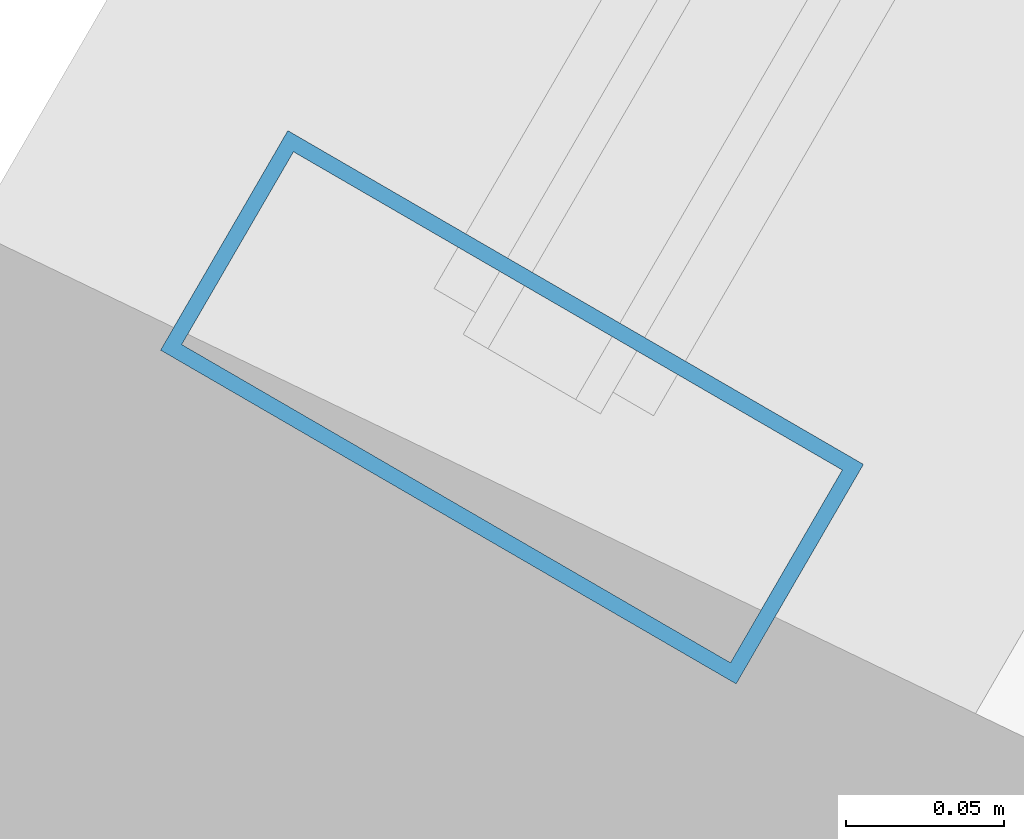
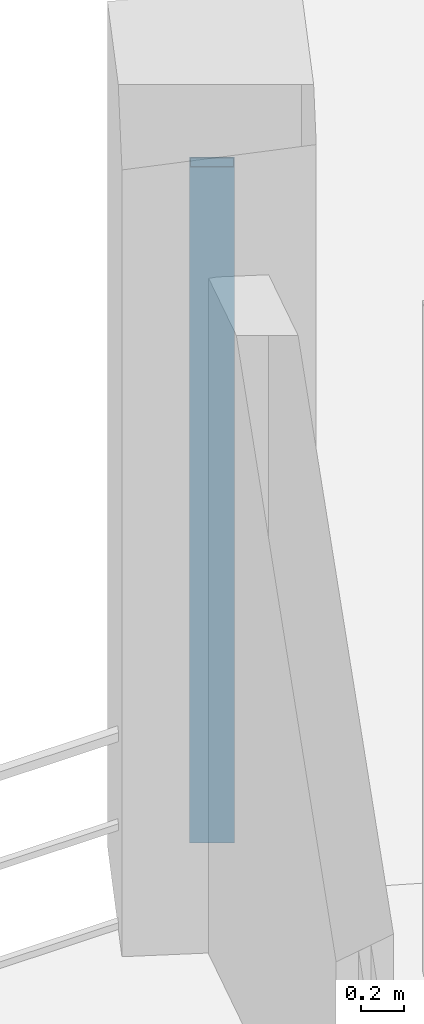
# One storey, part 43 of 171: 1 member, 1 element without a shape of its own.
"""IFC4 building model written with IfcOpenShell, lengths in metres."""

from ifc_helpers import new_model, si_unit, direction, frame, origin, origin_2d, place, context, subcontext, project, spatial, hollow_rectangle, extrude, material, layer, layer_set, material_profile, profile_set, type_object, element, aggregate, save


model = new_model("IFC4")

# Units and contexts
model_context = context("Model", 3, precision=1e-05, world=origin(), true_north=direction((0.0, 1.0)))
body_context = subcontext(model_context, "Body", "Model", "MODEL_VIEW")
ifc_project = project(units=[si_unit("LENGTHUNIT", "METRE"), si_unit("AREAUNIT", "SQUARE_METRE"), si_unit("VOLUMEUNIT", "CUBIC_METRE"), si_unit("PLANEANGLEUNIT", "RADIAN"), si_unit("MASSUNIT", "GRAM", prefix="KILO")], contexts=[model_context])

# Site, building, storey
site_placement = place(None, origin())
site = spatial("IfcSite", under=ifc_project, at=site_placement, CompositionType="ELEMENT")
building_placement = place(site_placement, origin())
building = spatial("IfcBuilding", under=site, at=building_placement, Name="Kazemori Nagisa Stadium", CompositionType="ELEMENT")
storey_placement = place(building_placement, frame((0.0, 0.0, 15.639892578125)))
storey = spatial("IfcBuildingStorey", under=building, at=storey_placement, Name="L03", CompositionType="ELEMENT", Elevation=15.639892578125)

# Curtain wall, member
ifc_material_1 = material(Name="Anodised aluminium 6063-T5", Category="aluminium")
ifc_layer = layer(ifc_material_1, 0.2099609375, Name="Anodised aluminium 6063-T5", Category="aluminium")
ifc_layer_set = layer_set([ifc_layer], Name="Anodised aluminium 6063-T5")
curtain_wall_type = type_object("IfcCurtainWallType", Name="CW_L03R3_99", PredefinedType="USERDEFINED", material=ifc_layer_set)
curtain_wall_placement = place(storey_placement, origin())
curtain_wall = element("IfcCurtainWall", 1, at=curtain_wall_placement, inside=storey, type_object=curtain_wall_type, Name="Unitised curtain wall CW-L03R3-99 L03", ObjectType="UNITISED CURTAIN WALL", PredefinedType="USERDEFINED")
ifc_material_2 = material(Name="Aluminium 6063-T5 anodised", Category="aluminium")
ifc_material_profile = material_profile(ifc_material_2, hollow_rectangle(XDim=0.080078125, YDim=0.2099609375, WallThickness=0.0048828125, at=origin_2d()), Name="ALU-MULL-80x210x5")
ifc_profile_set = profile_set([ifc_material_profile], Name="Aluminium 6063-T5 anodised")
member_type = type_object("IfcMemberType", Name="Mullion_M02", PredefinedType="MULLION", material=ifc_profile_set)
member_placement = place(storey_placement, frame((34.353271484375, 141.160400390625, 0.0), z_axis=(0.0, 0.0, 1.0), x_axis=(-0.501611590054, -0.865092950337, 0.0)))
member = element("IfcMember", 2, at=member_placement, type_object=member_type, Name="Curtain wall mullion CW-L03R3-99-M4", PredefinedType="MULLION", context=body_context, shape_type="SweptSolid", body=[
    extrude(hollow_rectangle(XDim=0.080078125, YDim=0.2099609375, WallThickness=0.0048828125, at=origin_2d()), origin(), (0.0, 0.0, 1.0), 3.81005859375),
])
aggregate(curtain_wall, [member])

save(model, "model.ifc")
